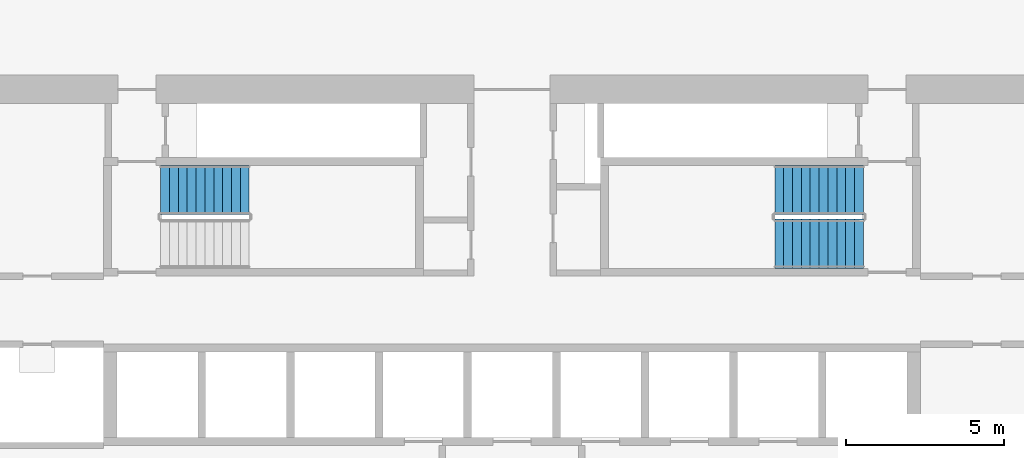
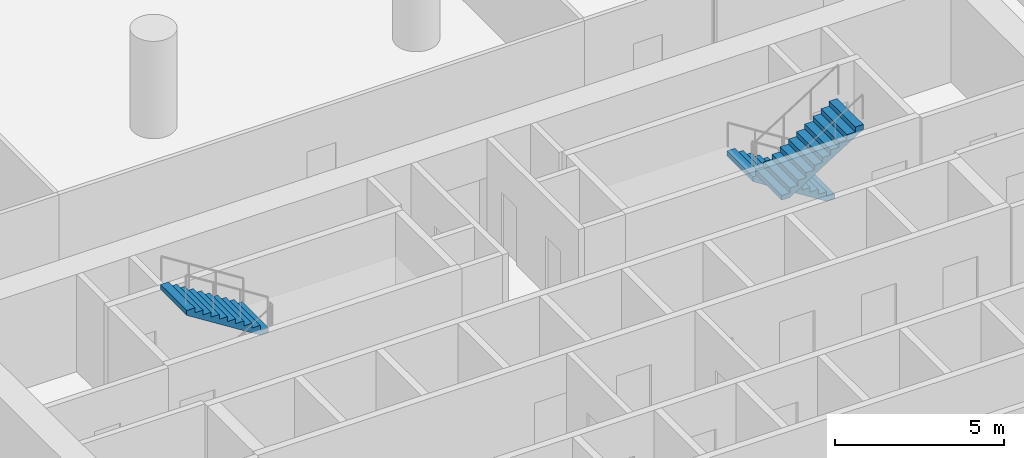
# One storey, part 9 of 10: 3 stair flights, 2 elements without a shape of their own.
"""IFC4 building model written with IfcOpenShell, lengths in metres."""

from ifc_helpers import new_model, si_unit, direction, frame, origin, place, context, subcontext, project, spatial, polyline, outline, extrude, material, type_object, element, aggregate, save


model = new_model("IFC4")

# Units and contexts
model_context = context("Model", 3, precision=1e-05, world=origin(), true_north=direction((0.0, 1.0)))
body_context = subcontext(model_context, "Body", "Model", "MODEL_VIEW")
ifc_project = project(units=[si_unit("LENGTHUNIT", "METRE"), si_unit("AREAUNIT", "SQUARE_METRE"), si_unit("VOLUMEUNIT", "CUBIC_METRE"), si_unit("PLANEANGLEUNIT", "RADIAN"), si_unit("MASSUNIT", "GRAM", prefix="KILO")], contexts=[model_context])

# Site, building, storey
site_placement = place(None, origin())
site = spatial("IfcSite", under=ifc_project, at=site_placement, CompositionType="ELEMENT")
building_placement = place(site_placement, origin())
building = spatial("IfcBuilding", under=site, at=building_placement, Name="Dhurran Vertical Campus", CompositionType="ELEMENT")
storey_placement = place(building_placement, frame((0.0, 0.0, 33.89990234375)))
storey = spatial("IfcBuildingStorey", under=building, at=storey_placement, Name="L07", CompositionType="ELEMENT", Elevation=33.89990234375)

# Stair, stair flight
ifc_material_1 = material(Name="Concrete C40/50", Category="concrete")
stair_type = type_object("IfcStairType", Name="co-ST-CORE", PredefinedType="HALF_TURN_STAIR", material=ifc_material_1)
stair_1_placement = place(storey_placement, origin())
stair_1 = element("IfcStair", 1, at=stair_1_placement, inside=storey, type_object=stair_type, Name="L07 Protected exit stair ST1", PredefinedType="HALF_TURN_STAIR")
ifc_material_2 = material(Name="Concrete C40/50", Category="concrete")
stair_flight_type = type_object("IfcStairFlightType", Name="co-SFL-RC", PredefinedType="STRAIGHT", material=ifc_material_2)
stair_flight_1_placement = place(storey_placement, frame((-8.300048828125, 9.875, 1.9501953125), z_axis=(0.0, 0.0, 1.0), x_axis=(-1.0, 0.0, 0.0)))
stair_flight_1 = element("IfcStairFlight", 2, at=stair_flight_1_placement, type_object=stair_flight_type, Name="ST1 flight 2", NumberOfRisers=11, NumberOfTreads=10, PredefinedType="STRAIGHT", RiserHeight=0.177272727, TreadLength=0.28, context=body_context, shape_type="SweptSolid", body=[
    extrude(outline(polyline([(0.0, 0.0), (0.0, 0.17724609375), (0.280029296875, 0.17724609375), (0.280029296875, 0.3544921875), (0.56005859375, 0.3544921875), (0.56005859375, 0.53173828125), (0.840087890625, 0.53173828125), (0.840087890625, 0.708984375), (1.1201171875, 0.708984375), (1.1201171875, 0.886474609375), (1.39990234375, 0.886474609375), (1.39990234375, 1.063720703125), (1.679931640625, 1.063720703125), (1.679931640625, 1.240966796875), (1.9599609375, 1.240966796875), (1.9599609375, 1.418212890625), (2.239990234375, 1.418212890625), (2.239990234375, 1.595458984375), (2.52001953125, 1.595458984375), (2.52001953125, 1.772705078125), (2.800048828125, 1.772705078125), (2.800048828125, 1.949951171875), (2.800048828125, 1.59521484375), (0.2802734375, 0.0), (0.0, 0.0)])), frame((0.0, 0.77490234375, 0.0), z_axis=(0.0, -1.0, 0.0), x_axis=(1.0, 0.0, 0.0)), (0.0, 0.0, 1.0), 1.550048828125),
])
aggregate(stair_1, [stair_flight_1])

# Stair, stair flights
stair_2_placement = place(storey_placement, origin())
stair_2 = element("IfcStair", 3, at=stair_2_placement, inside=storey, type_object=stair_type, Name="L07 Protected exit stair ST2", PredefinedType="HALF_TURN_STAIR")
stair_flight_2_placement = place(storey_placement, frame((11.10009765625, 9.875, 0.0), z_axis=(0.0, 0.0, 1.0), x_axis=(-1.0, 0.0, 0.0)))
stair_flight_2 = element("IfcStairFlight", 4, at=stair_flight_2_placement, type_object=stair_flight_type, Name="ST2 flight 1", NumberOfRisers=11, NumberOfTreads=10, PredefinedType="STRAIGHT", RiserHeight=0.177272727, TreadLength=0.28, context=body_context, shape_type="SweptSolid", body=[
    extrude(outline(polyline([(0.0, 0.0), (0.0, 0.17724609375), (0.280029296875, 0.17724609375), (0.280029296875, 0.3544921875), (0.56005859375, 0.3544921875), (0.56005859375, 0.53173828125), (0.840087890625, 0.53173828125), (0.840087890625, 0.708984375), (1.1201171875, 0.708984375), (1.1201171875, 0.886474609375), (1.39990234375, 0.886474609375), (1.39990234375, 1.063720703125), (1.679931640625, 1.063720703125), (1.679931640625, 1.240966796875), (1.9599609375, 1.240966796875), (1.9599609375, 1.418212890625), (2.239990234375, 1.418212890625), (2.239990234375, 1.595458984375), (2.52001953125, 1.595458984375), (2.52001953125, 1.772705078125), (2.800048828125, 1.772705078125), (2.800048828125, 1.949951171875), (2.800048828125, 1.59521484375), (0.2802734375, 0.0), (0.0, 0.0)])), frame((0.0, 0.77490234375, 0.0), z_axis=(0.0, -1.0, 0.0), x_axis=(1.0, 0.0, 0.0)), (0.0, 0.0, 1.0), 1.550048828125),
])
stair_flight_3_placement = place(storey_placement, frame((8.300048828125, 8.175048828125, 1.9501953125), z_axis=(0.0, 0.0, 1.0), x_axis=(1.0, 0.0, 0.0)))
stair_flight_3 = element("IfcStairFlight", 5, at=stair_flight_3_placement, type_object=stair_flight_type, Name="ST2 flight 2", NumberOfRisers=11, NumberOfTreads=10, PredefinedType="STRAIGHT", RiserHeight=0.177272727, TreadLength=0.28, context=body_context, shape_type="SweptSolid", body=[
    extrude(outline(polyline([(0.0, 0.0), (0.0, 0.17724609375), (0.280029296875, 0.17724609375), (0.280029296875, 0.3544921875), (0.56005859375, 0.3544921875), (0.56005859375, 0.53173828125), (0.840087890625, 0.53173828125), (0.840087890625, 0.708984375), (1.1201171875, 0.708984375), (1.1201171875, 0.886474609375), (1.39990234375, 0.886474609375), (1.39990234375, 1.063720703125), (1.679931640625, 1.063720703125), (1.679931640625, 1.240966796875), (1.9599609375, 1.240966796875), (1.9599609375, 1.418212890625), (2.239990234375, 1.418212890625), (2.239990234375, 1.595458984375), (2.52001953125, 1.595458984375), (2.52001953125, 1.772705078125), (2.800048828125, 1.772705078125), (2.800048828125, 1.949951171875), (2.800048828125, 1.59521484375), (0.2802734375, 0.0), (0.0, 0.0)])), frame((0.0, 0.77490234375, 0.0), z_axis=(0.0, -1.0, 0.0), x_axis=(1.0, 0.0, 0.0)), (0.0, 0.0, 1.0), 1.550048828125),
])
aggregate(stair_2, [stair_flight_2, stair_flight_3])

save(model, "model.ifc")
